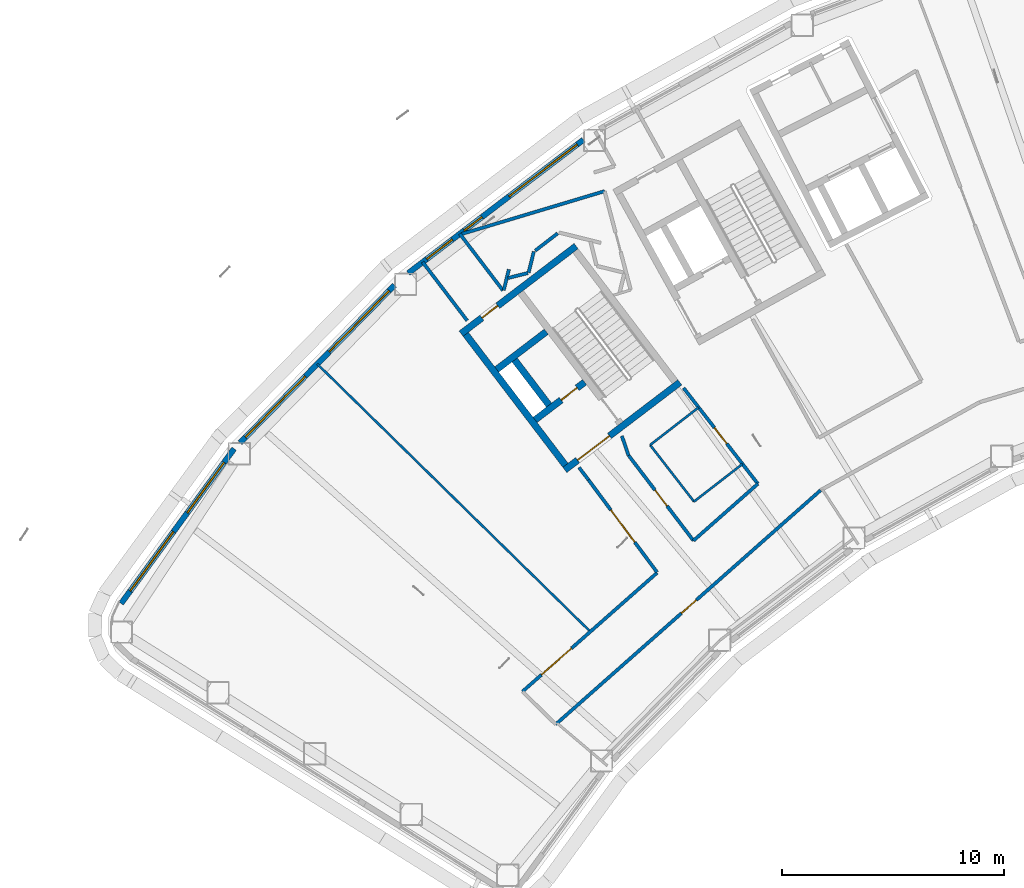
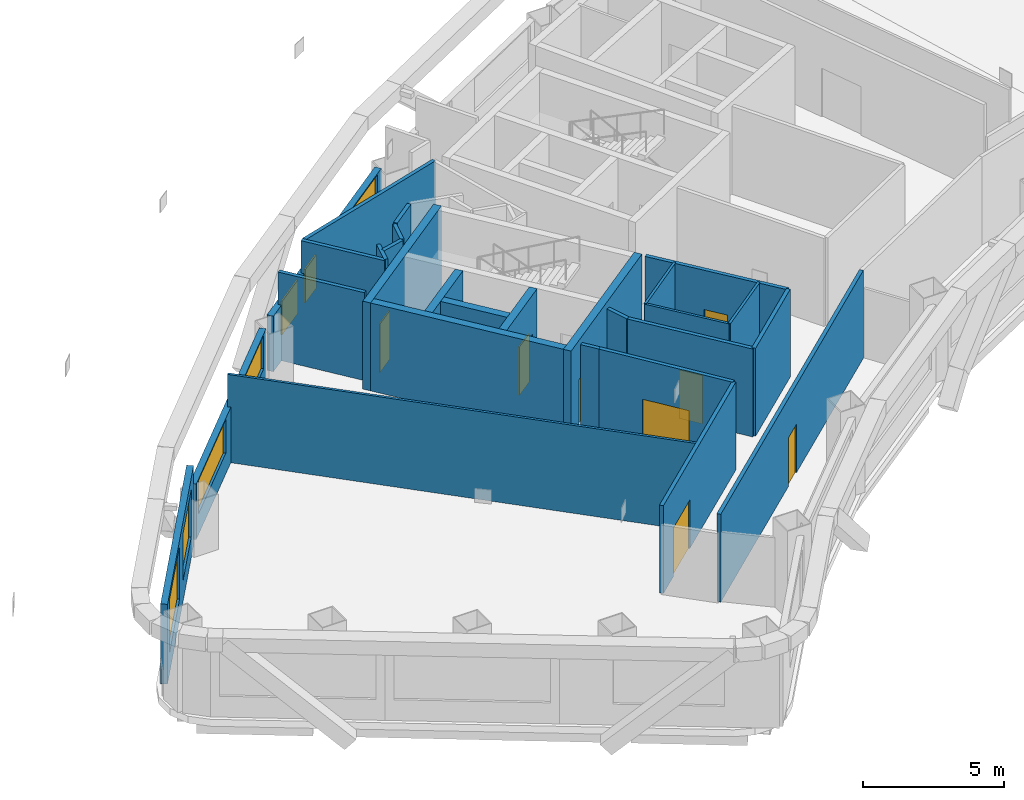
# One storey, part 3 of 19: 28 walls, 8 doors, 7 windows, 15 openings.
"""IFC4 building model written with IfcOpenShell, lengths in metres."""

from ifc_helpers import new_model, si_unit, direction, frame, frame_2d, origin, place, context, subcontext, project, spatial, rectangle, extrude, material, layer, layer_set, type_object, element, fill, save


model = new_model("IFC4")

# Units and contexts
model_context = context("Model", 3, precision=1e-05, world=origin(), true_north=direction((0.0, 1.0)))
body_context = subcontext(model_context, "Body", "Model", "MODEL_VIEW")
ifc_project = project(units=[si_unit("LENGTHUNIT", "METRE"), si_unit("AREAUNIT", "SQUARE_METRE"), si_unit("VOLUMEUNIT", "CUBIC_METRE"), si_unit("PLANEANGLEUNIT", "RADIAN"), si_unit("MASSUNIT", "GRAM", prefix="KILO")], contexts=[model_context])

# Site, building, storey
site_placement = place(None, origin())
site = spatial("IfcSite", under=ifc_project, at=site_placement, CompositionType="ELEMENT")
building_placement = place(site_placement, origin())
building = spatial("IfcBuilding", under=site, at=building_placement, Name="Tuul Gate Civic Tower", CompositionType="ELEMENT")
storey_placement = place(building_placement, frame((0.0, 0.0, 163.39990234375)))
storey = spatial("IfcBuildingStorey", under=building, at=storey_placement, Name="Level 37", CompositionType="ELEMENT", Elevation=163.39990234375)

# Wall, opening, door
ifc_material_1 = material(Name="Concrete C50/60", Category="concrete")
ifc_layer_1 = layer(ifc_material_1, 0.300048828125)
ifc_layer_set_1 = layer_set([ifc_layer_1], Name="Concrete C50/60")
wall_type_1 = type_object("IfcWallType", Name="Core wall C50/60", PredefinedType="SHEAR", material=ifc_layer_set_1)
wall_1_placement = place(storey_placement, frame((-31.19091796875, -13.669677734375, 0.0), z_axis=(0.0, 0.0, 1.0), x_axis=(-0.795606717756, -0.605813461934, 0.0)))
wall_1 = element("IfcWall", 1, at=wall_1_placement, inside=storey, type_object=wall_type_1, Name="Core wall", PredefinedType="SHEAR", context=body_context, shape_type="SweptSolid", body=[
    extrude(rectangle(XDim=6.5, YDim=0.300048828125, at=frame_2d((3.25, 0.0))), origin(), (0.0, 0.0, 1.0), 3.800048828125),
])
opening_1_placement = place(wall_1_placement, frame((3.97509765625, 0.0, 0.0)))
opening_1 = element("IfcOpeningElement", 2, at=opening_1_placement, cuts=wall_1, Name="Opening LB-W1-LOBBY-1", PredefinedType="OPENING", context=body_context, shape_type="SweptSolid", body=[
    extrude(rectangle(XDim=1.800048828125, YDim=2.10009765625, at=frame_2d((0.89990234375, 1.050048828125))), frame((0.0, 0.16015625, 0.0), z_axis=(0.0, -1.0, 0.0), x_axis=(1.0, 0.0, 0.0)), (0.0, 0.0, 1.0), 0.320068359375),
])
ifc_material_2 = material(Name="Steel", Category="steel")
door_type_1 = type_object("IfcDoorType", Name="Lobby door", OperationType="DOUBLE_DOOR_SINGLE_SWING", PredefinedType="DOOR", material=ifc_material_2)
door_1_placement = place(opening_1_placement, origin())
door_1 = element("IfcDoor", 3, at=door_1_placement, inside=storey, type_object=door_type_1, Name="Lobby door W1-LOBBY", OperationType="DOUBLE_DOOR_SINGLE_SWING", OverallHeight=2.10009765625, OverallWidth=1.800048828125, PredefinedType="DOOR", context=body_context, shape_type="SweptSolid", body=[
    extrude(rectangle(XDim=1.800048828125, YDim=2.10009765625, at=frame_2d((0.89990234375, 1.050048828125))), frame((0.0, 0.02490234375, 0.0), z_axis=(0.0, -1.0, 0.0), x_axis=(1.0, 0.0, 0.0)), (0.0, 0.0, 1.0), 0.050048828125),
])
fill(opening_1, door_1)

wall_2_placement = place(storey_placement, frame((-35.470947265625, -13.66064453125, 0.0), z_axis=(0.0, 0.0, 1.0), x_axis=(-0.795615822227, -0.605801504968, 0.0)))
wall_2 = element("IfcWall", 4, at=wall_2_placement, inside=storey, type_object=wall_type_1, Name="Core wall", PredefinedType="SHEAR", context=body_context, shape_type="SweptSolid", body=[
    extrude(rectangle(XDim=2.800048828125, YDim=0.300048828125, at=frame_2d((1.39990234375, 0.0))), origin(), (0.0, 0.0, 1.0), 3.800048828125),
])
opening_2_placement = place(wall_2_placement, frame((0.425048828125, 0.0, 0.0)))
opening_2 = element("IfcOpeningElement", 5, at=opening_2_placement, cuts=wall_2, Name="Opening FB-W1A1", PredefinedType="OPENING", context=body_context, shape_type="SweptSolid", body=[
    extrude(rectangle(XDim=0.89990234375, YDim=2.10009765625, at=frame_2d((0.449951171875, 1.050048828125))), frame((0.0, 0.16015625, 0.0), z_axis=(0.0, -1.0, 0.0), x_axis=(1.0, 0.0, 0.0)), (0.0, 0.0, 1.0), 0.320068359375),
])
ifc_material_3 = material(Name="Steel", Category="steel")
door_type_2 = type_object("IfcDoorType", Name="Store door", OperationType="NOTDEFINED", PredefinedType="DOOR", material=ifc_material_3)
door_2_placement = place(opening_2_placement, frame((0.89990234375, 0.0, 0.0), z_axis=(0.0, 0.0, 1.0), x_axis=(-1.0, 0.0, 0.0)))
door_2 = element("IfcDoor", 6, at=door_2_placement, inside=storey, type_object=door_type_2, Name="Store door W1A1", OperationType="SINGLE_SWING_RIGHT", OverallHeight=2.10009765625, OverallWidth=0.89990234375, PredefinedType="DOOR", context=body_context, shape_type="SweptSolid", body=[
    extrude(rectangle(XDim=0.89990234375, YDim=2.10009765625, at=frame_2d((0.449951171875, 1.050048828125))), frame((0.0, 0.02490234375, 0.0), z_axis=(0.0, -1.0, 0.0), x_axis=(1.0, 0.0, 0.0)), (0.0, 0.0, 1.0), 0.050048828125),
])
fill(opening_2, door_2)

# Wall
wall_3_placement = place(storey_placement, frame((-37.197509765625, -11.39306640625, 0.0), z_axis=(0.0, 0.0, 1.0), x_axis=(-0.795583820278, -0.605843531707, 0.0)))
element("IfcWall", 7, at=wall_3_placement, inside=storey, type_object=wall_type_1, Name="Core wall", PredefinedType="SHEAR", context=body_context, shape_type="SweptSolid", body=[
    extrude(rectangle(XDim=2.7998046875, YDim=0.300048828125, at=frame_2d((1.39990234375, 0.0))), origin(), (0.0, 0.0, 1.0), 3.800048828125),
])

# Wall, opening, door
wall_4_placement = place(storey_placement, frame((-35.855224609375, -7.543212890625, 0.0), z_axis=(0.0, 0.0, 1.0), x_axis=(-0.79563860527, -0.605771582202, 0.0)))
wall_4 = element("IfcWall", 8, at=wall_4_placement, inside=storey, type_object=wall_type_1, Name="Core wall", PredefinedType="SHEAR", context=body_context, shape_type="SweptSolid", body=[
    extrude(rectangle(XDim=6.5, YDim=0.300048828125, at=frame_2d((3.25, 0.0))), origin(), (0.0, 0.0, 1.0), 3.800048828125),
])
opening_3_placement = place(wall_4_placement, frame((4.425048828125, 0.0, 0.0)))
opening_3 = element("IfcOpeningElement", 9, at=opening_3_placement, cuts=wall_4, Name="Opening M-D18", PredefinedType="OPENING", context=body_context, shape_type="SweptSolid", body=[
    extrude(rectangle(XDim=0.89990234375, YDim=2.10009765625, at=frame_2d((0.449951171875, 1.050048828125))), frame((0.0, 0.16015625, 0.0), z_axis=(0.0, -1.0, 0.0), x_axis=(1.0, 0.0, 0.0)), (0.0, 0.0, 1.0), 0.320068359375),
])
ifc_material_4 = material(Name="Timber door leaf", Category="wood")
door_type_3 = type_object("IfcDoorType", Name="Door D09", OperationType="NOTDEFINED", PredefinedType="DOOR", material=ifc_material_4)
door_3_placement = place(opening_3_placement, origin())
door_3 = element("IfcDoor", 10, at=door_3_placement, inside=storey, type_object=door_type_3, Name="Door M-D18", OperationType="SINGLE_SWING_LEFT", OverallHeight=2.10009765625, OverallWidth=0.89990234375, PredefinedType="DOOR", context=body_context, shape_type="SweptSolid", body=[
    extrude(rectangle(XDim=0.89990234375, YDim=2.10009765625, at=frame_2d((0.449951171875, 1.050048828125))), frame((0.0, 0.02490234375, 0.0), z_axis=(0.0, -1.0, 0.0), x_axis=(1.0, 0.0, 0.0)), (0.0, 0.0, 1.0), 0.050048828125),
])
fill(opening_3, door_3)

# Walls
wall_5_placement = place(storey_placement, frame((-37.073486328125, -14.6923828125, 0.0), z_axis=(0.0, 0.0, 1.0), x_axis=(-0.605728760074, 0.79567120673, 0.0)))
element("IfcWall", 11, at=wall_5_placement, inside=storey, type_object=wall_type_1, Name="Core wall", PredefinedType="SHEAR", context=body_context, shape_type="SweptSolid", body=[
    extrude(rectangle(XDim=2.550048828125, YDim=0.300048828125, at=frame_2d((1.27490234375, 0.0))), origin(), (0.0, 0.0, 1.0), 3.800048828125),
])
wall_6_placement = place(storey_placement, frame((-36.333984375, -17.397216796875, 0.0), z_axis=(0.0, 0.0, 1.0), x_axis=(-0.605753921168, 0.795652051458, 0.0)))
element("IfcWall", 12, at=wall_6_placement, inside=storey, type_object=wall_type_1, Name="Core wall", PredefinedType="SHEAR", context=body_context, shape_type="SweptSolid", body=[
    extrude(rectangle(XDim=7.400146484375, YDim=0.300048828125, at=frame_2d((3.7001953125, 0.0))), origin(), (0.0, 0.0, 1.0), 3.800048828125),
])
ifc_material_5 = material(Name="Gypsum board partition")
ifc_layer_2 = layer(ifc_material_5, 0.14990234375)
ifc_layer_set_2 = layer_set([ifc_layer_2], Name="Gypsum board partition")
wall_type_2 = type_object("IfcWallType", Name="Corridor wall P150", PredefinedType="PARTITIONING", material=ifc_layer_set_2)
wall_7_placement = place(storey_placement, frame((-37.695556640625, -7.74951171875, 0.0), z_axis=(0.0, 0.0, 1.0), x_axis=(0.791948589292, 0.610587775769, 0.0)))
element("IfcWall", 13, at=wall_7_placement, inside=storey, type_object=wall_type_2, Name="p036", PredefinedType="PARTITIONING", context=body_context, shape_type="SweptSolid", body=[
    extrude(rectangle(XDim=1.277587890625, YDim=0.14990234375, at=frame_2d((0.638671875, 0.0))), origin(), (0.0, 0.0, 1.0), 3.800048828125),
])
wall_8_placement = place(storey_placement, frame((-37.990966796875, -8.73681640625, 0.0), z_axis=(0.0, 0.0, 1.0), x_axis=(0.239836272138, 0.970813351045, 0.0)))
element("IfcWall", 14, at=wall_8_placement, inside=storey, type_object=wall_type_2, Name="p037", PredefinedType="PARTITIONING", context=body_context, shape_type="SweptSolid", body=[
    extrude(rectangle(XDim=0.979248046875, YDim=0.14990234375, at=frame_2d((0.48974609375, 0.0))), origin(), (0.0, 0.0, 1.0), 3.800048828125),
])
wall_9_placement = place(storey_placement, frame((-38.92138671875, -8.9794921875, 0.0), z_axis=(0.0, 0.0, 1.0), x_axis=(0.969803270885, 0.243888531465, 0.0)))
element("IfcWall", 15, at=wall_9_placement, inside=storey, type_object=wall_type_2, Name="p038", PredefinedType="PARTITIONING", context=body_context, shape_type="SweptSolid", body=[
    extrude(rectangle(XDim=0.93408203125, YDim=0.14990234375, at=frame_2d((0.467041015625, 0.0))), origin(), (0.0, 0.0, 1.0), 3.800048828125),
])
wall_10_placement = place(storey_placement, frame((-39.109130859375, -9.5302734375, 0.0), z_axis=(0.0, 0.0, 1.0), x_axis=(0.239922856226, 0.970791956632, 0.0)))
element("IfcWall", 16, at=wall_10_placement, inside=storey, type_object=wall_type_2, Name="p039", PredefinedType="PARTITIONING", context=body_context, shape_type="SweptSolid", body=[
    extrude(rectangle(XDim=0.9677734375, YDim=0.14990234375, at=frame_2d((0.48388671875, 0.0))), origin(), (0.0, 0.0, 1.0), 3.800048828125),
])
wall_11_placement = place(storey_placement, frame((-41.085693359375, -6.98828125, 0.0), z_axis=(0.0, 0.0, 1.0), x_axis=(0.605873285969, -0.795561161287, 0.0)))
element("IfcWall", 17, at=wall_11_placement, inside=storey, type_object=wall_type_2, Name="p040", PredefinedType="PARTITIONING", context=body_context, shape_type="SweptSolid", body=[
    extrude(rectangle(XDim=3.20361328125, YDim=0.14990234375, at=frame_2d((1.601806640625, 0.0))), origin(), (0.0, 0.0, 1.0), 3.800048828125),
])

# Wall, opening, door
wall_12_placement = place(storey_placement, frame((-33.495361328125, -16.95458984375, 0.0), z_axis=(0.0, 0.0, 1.0), x_axis=(0.60591037811, -0.795532911763, 0.0)))
wall_12 = element("IfcWall", 18, at=wall_12_placement, inside=storey, type_object=wall_type_2, Name="p041", PredefinedType="PARTITIONING", context=body_context, shape_type="SweptSolid", body=[
    extrude(rectangle(XDim=4.81787109375, YDim=0.14990234375, at=frame_2d((2.408935546875, 0.0))), origin(), (0.0, 0.0, 1.0), 3.800048828125),
])
opening_4_placement = place(wall_12_placement, frame((1.958984375, 0.0, 0.0)))
opening_4 = element("IfcOpeningElement", 19, at=opening_4_placement, cuts=wall_12, Name="Opening M-D17", PredefinedType="OPENING", context=body_context, shape_type="SweptSolid", body=[
    extrude(rectangle(XDim=0.89990234375, YDim=2.10009765625, at=frame_2d((0.449951171875, 1.050048828125))), frame((0.0, 0.0849609375, 0.0), z_axis=(0.0, -1.0, 0.0), x_axis=(1.0, 0.0, 0.0)), (0.0, 0.0, 1.0), 0.169921875),
])
door_4_placement = place(opening_4_placement, origin())
door_4 = element("IfcDoor", 20, at=door_4_placement, inside=storey, type_object=door_type_3, Name="Door M-D17", OperationType="SINGLE_SWING_RIGHT", OverallHeight=2.10009765625, OverallWidth=0.89990234375, PredefinedType="DOOR", context=body_context, shape_type="SweptSolid", body=[
    extrude(rectangle(XDim=0.89990234375, YDim=2.10009765625, at=frame_2d((0.449951171875, 1.050048828125))), frame((0.0, 0.02490234375, 0.0), z_axis=(0.0, -1.0, 0.0), x_axis=(1.0, 0.0, 0.0)), (0.0, 0.0, 1.0), 0.050048828125),
])
fill(opening_4, door_4)

# Walls
wall_13_placement = place(storey_placement, frame((-42.756103515625, -8.26025390625, 0.0), z_axis=(0.0, 0.0, 1.0), x_axis=(0.605756442532, -0.795650131861, 0.0)))
element("IfcWall", 21, at=wall_13_placement, inside=storey, type_object=wall_type_2, Name="p045", PredefinedType="PARTITIONING", context=body_context, shape_type="SweptSolid", body=[
    extrude(rectangle(XDim=3.309326171875, YDim=0.14990234375, at=frame_2d((1.65478515625, 0.0))), origin(), (0.0, 0.0, 1.0), 3.800048828125),
])
wall_14_placement = place(storey_placement, frame((-35.722412109375, -17.498291015625, 0.0), z_axis=(0.0, 0.0, 1.0), x_axis=(0.60571821205, -0.795679236622, 0.0)))
element("IfcWall", 22, at=wall_14_placement, inside=storey, type_object=wall_type_2, Name="p046", PredefinedType="PARTITIONING", context=body_context, shape_type="SweptSolid", body=[
    extrude(rectangle(XDim=0.70166015625, YDim=0.14990234375, at=frame_2d((0.350830078125, 0.0))), origin(), (0.0, 0.0, 1.0), 3.800048828125),
])

# Wall, opening, door
wall_15_placement = place(storey_placement, frame((-35.297119140625, -18.056640625, 0.0), z_axis=(0.0, 0.0, 1.0), x_axis=(0.596155340133, -0.802869111644, 0.0)))
wall_15 = element("IfcWall", 23, at=wall_15_placement, inside=storey, type_object=wall_type_2, Name="p047", PredefinedType="PARTITIONING", context=body_context, shape_type="SweptSolid", body=[
    extrude(rectangle(XDim=5.170654296875, YDim=0.14990234375, at=frame_2d((2.58544921875, 0.0))), origin(), (0.0, 0.0, 1.0), 3.800048828125),
])
opening_5_placement = place(wall_15_placement, frame((1.68505859375, 0.0, 0.0)))
opening_5 = element("IfcOpeningElement", 24, at=opening_5_placement, cuts=wall_15, Name="Opening M-D11", PredefinedType="OPENING", context=body_context, shape_type="SweptSolid", body=[
    extrude(rectangle(XDim=1.800048828125, YDim=2.10009765625, at=frame_2d((0.89990234375, 1.050048828125))), frame((0.0, 0.0849609375, 0.0), z_axis=(0.0, -1.0, 0.0), x_axis=(1.0, 0.0, 0.0)), (0.0, 0.0, 1.0), 0.169921875),
])
ifc_material_6 = material(Name="Timber door leaf, double", Category="wood")
door_type_4 = type_object("IfcDoorType", Name="Door D18", OperationType="DOUBLE_DOOR_SINGLE_SWING", PredefinedType="DOOR", material=ifc_material_6)
door_5_placement = place(opening_5_placement, frame((1.800048828125, 0.0, 0.0), z_axis=(0.0, 0.0, 1.0), x_axis=(-1.0, 0.0, 0.0)))
door_5 = element("IfcDoor", 25, at=door_5_placement, inside=storey, type_object=door_type_4, Name="Door M-D11", OperationType="DOUBLE_DOOR_SINGLE_SWING", OverallHeight=2.10009765625, OverallWidth=1.800048828125, PredefinedType="DOOR", context=body_context, shape_type="SweptSolid", body=[
    extrude(rectangle(XDim=1.800048828125, YDim=2.10009765625, at=frame_2d((0.900146484375, 1.050048828125))), frame((0.0, 0.02490234375, 0.0), z_axis=(0.0, -1.0, 0.0), x_axis=(1.0, 0.0, 0.0)), (0.0, 0.0, 1.0), 0.050048828125),
])
fill(opening_5, door_5)

wall_16_placement = place(storey_placement, frame((-38.264892578125, -27.57275390625, 0.0), z_axis=(0.0, 0.0, 1.0), x_axis=(0.749776017467, 0.661691713437, 0.0)))
wall_16 = element("IfcWall", 26, at=wall_16_placement, inside=storey, type_object=wall_type_2, Name="p048", PredefinedType="PARTITIONING", context=body_context, shape_type="SweptSolid", body=[
    extrude(rectangle(XDim=8.065673828125, YDim=0.14990234375, at=frame_2d((4.03271484375, 0.0))), origin(), (0.0, 0.0, 1.0), 3.800048828125),
])
opening_6_placement = place(wall_16_placement, frame((1.134521484375, 0.0, 0.0)))
opening_6 = element("IfcOpeningElement", 27, at=opening_6_placement, cuts=wall_16, Name="Opening M-D12", PredefinedType="OPENING", context=body_context, shape_type="SweptSolid", body=[
    extrude(rectangle(XDim=1.800048828125, YDim=2.10009765625, at=frame_2d((0.89990234375, 1.050048828125))), frame((0.0, 0.0849609375, 0.0), z_axis=(0.0, -1.0, 0.0), x_axis=(1.0, 0.0, 0.0)), (0.0, 0.0, 1.0), 0.169921875),
])
door_6_placement = place(opening_6_placement, origin())
door_6 = element("IfcDoor", 28, at=door_6_placement, inside=storey, type_object=door_type_4, Name="Door M-D12", OperationType="DOUBLE_DOOR_SINGLE_SWING", OverallHeight=2.10009765625, OverallWidth=1.800048828125, PredefinedType="DOOR", context=body_context, shape_type="SweptSolid", body=[
    extrude(rectangle(XDim=1.800048828125, YDim=2.10009765625, at=frame_2d((0.89990234375, 1.050048828125))), frame((0.0, 0.02490234375, 0.0), z_axis=(0.0, -1.0, 0.0), x_axis=(1.0, 0.0, 0.0)), (0.0, 0.0, 1.0), 0.050048828125),
])
fill(opening_6, door_6)

# Wall
wall_17_placement = place(storey_placement, frame((-30.577880859375, -20.78857421875, 0.0), z_axis=(0.0, 0.0, 1.0), x_axis=(0.749775156875, 0.661692688589, 0.0)))
element("IfcWall", 29, at=wall_17_placement, inside=storey, type_object=wall_type_2, Name="p049", PredefinedType="PARTITIONING", context=body_context, shape_type="SweptSolid", body=[
    extrude(rectangle(XDim=3.86376953125, YDim=0.14990234375, at=frame_2d((1.931884765625, 0.0))), origin(), (0.0, 0.0, 1.0), 3.800048828125),
])

# Wall, opening, door
wall_18_placement = place(storey_placement, frame((-36.7705078125, -29.048095703125, 0.0), z_axis=(0.0, 0.0, 1.0), x_axis=(0.749290803253, 0.662241113312, 0.0)))
wall_18 = element("IfcWall", 30, at=wall_18_placement, inside=storey, type_object=wall_type_2, Name="p052", PredefinedType="PARTITIONING", context=body_context, shape_type="SweptSolid", body=[
    extrude(rectangle(XDim=15.896484375, YDim=0.14990234375, at=frame_2d((7.9482421875, 0.0))), origin(), (0.0, 0.0, 1.0), 3.800048828125),
])
opening_7_placement = place(wall_18_placement, frame((7.53857421875, 0.0, 0.0)))
opening_7 = element("IfcOpeningElement", 31, at=opening_7_placement, cuts=wall_18, Name="Opening M-D14", PredefinedType="OPENING", context=body_context, shape_type="SweptSolid", body=[
    extrude(rectangle(XDim=0.89990234375, YDim=2.10009765625, at=frame_2d((0.449951171875, 1.050048828125))), frame((0.0, 0.0849609375, 0.0), z_axis=(0.0, -1.0, 0.0), x_axis=(1.0, 0.0, 0.0)), (0.0, 0.0, 1.0), 0.169921875),
])
door_7_placement = place(opening_7_placement, frame((0.89990234375, 0.0, 0.0), z_axis=(0.0, 0.0, 1.0), x_axis=(-1.0, 0.0, 0.0)))
door_7 = element("IfcDoor", 32, at=door_7_placement, inside=storey, type_object=door_type_3, Name="Door M-D14", OperationType="SINGLE_SWING_LEFT", OverallHeight=2.10009765625, OverallWidth=0.89990234375, PredefinedType="DOOR", context=body_context, shape_type="SweptSolid", body=[
    extrude(rectangle(XDim=0.89990234375, YDim=2.10009765625, at=frame_2d((0.449951171875, 1.050048828125))), frame((0.0, 0.02490234375, 0.0), z_axis=(0.0, -1.0, 0.0), x_axis=(1.0, 0.0, 0.0)), (0.0, 0.0, 1.0), 0.050048828125),
])
fill(opening_7, door_7)

wall_19_placement = place(storey_placement, frame((-31.02294921875, -13.920166015625, 0.0), z_axis=(0.0, 0.0, 1.0), x_axis=(0.612619894475, -0.790377672315, 0.0)))
wall_19 = element("IfcWall", 33, at=wall_19_placement, inside=storey, type_object=wall_type_2, Name="p059", PredefinedType="PARTITIONING", context=body_context, shape_type="SweptSolid", body=[
    extrude(rectangle(XDim=5.455322265625, YDim=0.14990234375, at=frame_2d((2.7275390625, 0.0))), origin(), (0.0, 0.0, 1.0), 3.800048828125),
])
opening_8_placement = place(wall_19_placement, frame((2.267822265625, 0.0, 0.0)))
opening_8 = element("IfcOpeningElement", 34, at=opening_8_placement, cuts=wall_19, Name="Opening M-D15", PredefinedType="OPENING", context=body_context, shape_type="SweptSolid", body=[
    extrude(rectangle(XDim=0.89990234375, YDim=2.10009765625, at=frame_2d((0.449951171875, 1.050048828125))), frame((0.0, 0.0849609375, 0.0), z_axis=(0.0, -1.0, 0.0), x_axis=(1.0, 0.0, 0.0)), (0.0, 0.0, 1.0), 0.169921875),
])
door_8_placement = place(opening_8_placement, frame((0.89990234375, 0.0, 0.0), z_axis=(0.0, 0.0, 1.0), x_axis=(-1.0, 0.0, 0.0)))
door_8 = element("IfcDoor", 35, at=door_8_placement, inside=storey, type_object=door_type_3, Name="Door M-D15", OperationType="SINGLE_SWING_LEFT", OverallHeight=2.10009765625, OverallWidth=0.89990234375, PredefinedType="DOOR", context=body_context, shape_type="SweptSolid", body=[
    extrude(rectangle(XDim=0.89990234375, YDim=2.10009765625, at=frame_2d((0.449951171875, 1.050048828125))), frame((0.0, 0.02490234375, 0.0), z_axis=(0.0, -1.0, 0.0), x_axis=(1.0, 0.0, 0.0)), (0.0, 0.0, 1.0), 0.050048828125),
])
fill(opening_8, door_8)

# Walls
wall_20_placement = place(storey_placement, frame((-41.0048828125, -7.00048828125, 0.0), z_axis=(0.0, 0.0, 1.0), x_axis=(0.957866311297, 0.287214431535, 0.0)))
element("IfcWall", 36, at=wall_20_placement, inside=storey, type_object=wall_type_2, Name="p063", PredefinedType="PARTITIONING", context=body_context, shape_type="SweptSolid", body=[
    extrude(rectangle(XDim=6.713623046875, YDim=0.14990234375, at=frame_2d((3.35693359375, 0.0))), origin(), (0.0, 0.0, 1.0), 3.800048828125),
])
wall_21_placement = place(storey_placement, frame((-33.7978515625, -16.076904296875, 0.0), z_axis=(0.0, 0.0, 1.0), x_axis=(0.324653621534, -0.945832979984, 0.0)))
element("IfcWall", 37, at=wall_21_placement, inside=storey, type_object=wall_type_2, Name="p066", PredefinedType="PARTITIONING", context=body_context, shape_type="SweptSolid", body=[
    extrude(rectangle(XDim=0.9287109375, YDim=0.14990234375, at=frame_2d((0.46435546875, 0.0))), origin(), (0.0, 0.0, 1.0), 3.800048828125),
])

# Wall, openings, windows
ifc_material_7 = material(Name="Precast concrete C40/50", Category="concrete")
ifc_layer_3 = layer(ifc_material_7, 0.25)
ifc_layer_set_3 = layer_set([ifc_layer_3], Name="Precast concrete C40/50")
wall_type_3 = type_object("IfcWallType", Name="External wall", PredefinedType="STANDARD", material=ifc_layer_set_3)
wall_22_placement = place(storey_placement, frame((-51.232666015625, -16.654052734375, 0.0), z_axis=(0.0, 0.0, 1.0), x_axis=(-0.589738830744, -0.807594026422, 0.0)))
wall_22 = element("IfcWall", 38, at=wall_22_placement, inside=storey, type_object=wall_type_3, Name="External wall", PredefinedType="STANDARD", context=body_context, shape_type="SweptSolid", body=[
    extrude(rectangle(XDim=8.617919921875, YDim=0.25, at=frame_2d((4.30908203125, 0.0))), origin(), (0.0, 0.0, 1.0), 3.4501953125),
])
opening_9_placement = place(wall_22_placement, frame((0.76513671875, 0.0, 0.89990234375)))
opening_9 = element("IfcOpeningElement", 39, at=opening_9_placement, cuts=wall_22, Name="Opening W114", PredefinedType="OPENING", context=body_context, shape_type="SweptSolid", body=[
    extrude(rectangle(XDim=2.800048828125, YDim=2.050048828125, at=frame_2d((1.39990234375, 1.02490234375))), frame((0.0, 0.135009765625, 0.0), z_axis=(0.0, -1.0, 0.0), x_axis=(1.0, 0.0, 0.0)), (0.0, 0.0, 1.0), 0.27001953125),
])
opening_10_placement = place(wall_22_placement, frame((4.627197265625, 0.0, 0.89990234375)))
opening_10 = element("IfcOpeningElement", 40, at=opening_10_placement, cuts=wall_22, Name="Opening W115", PredefinedType="OPENING", context=body_context, shape_type="SweptSolid", body=[
    extrude(rectangle(XDim=3.300048828125, YDim=2.300048828125, at=frame_2d((1.64990234375, 1.14990234375))), frame((0.0, 0.135009765625, 0.0), z_axis=(0.0, -1.0, 0.0), x_axis=(1.0, 0.0, 0.0)), (0.0, 0.0, 1.0), 0.27001953125),
])
ifc_material_8 = material(Name="Glass", Category="glass")
window_type_1 = type_object("IfcWindowType", Name="Window W114 2800 x 2050", PartitioningType="SINGLE_PANEL", PredefinedType="WINDOW", material=ifc_material_8)
window_1_placement = place(opening_9_placement, origin())
window_1 = element("IfcWindow", 41, at=window_1_placement, inside=storey, type_object=window_type_1, Name="Window", OverallHeight=2.050048828125, OverallWidth=2.800048828125, PartitioningType="SINGLE_PANEL", PredefinedType="WINDOW", context=body_context, shape_type="SweptSolid", body=[
    extrude(rectangle(XDim=2.800048828125, YDim=2.050048828125, at=frame_2d((1.39990234375, 1.02490234375))), frame((0.0, 0.030029296875, 0.0), z_axis=(0.0, -1.0, 0.0), x_axis=(1.0, 0.0, 0.0)), (0.0, 0.0, 1.0), 0.06005859375),
])
fill(opening_9, window_1)
ifc_material_9 = material(Name="Glass", Category="glass")
window_type_2 = type_object("IfcWindowType", Name="Window W115 3300 x 2300", PartitioningType="SINGLE_PANEL", PredefinedType="WINDOW", material=ifc_material_9)
window_2_placement = place(opening_10_placement, origin())
window_2 = element("IfcWindow", 42, at=window_2_placement, inside=storey, type_object=window_type_2, Name="Window", OverallHeight=2.300048828125, OverallWidth=3.300048828125, PartitioningType="SINGLE_PANEL", PredefinedType="WINDOW", context=body_context, shape_type="SweptSolid", body=[
    extrude(rectangle(XDim=3.300048828125, YDim=2.300048828125, at=frame_2d((1.64990234375, 1.14990234375))), frame((0.0, 0.030029296875, 0.0), z_axis=(0.0, -1.0, 0.0), x_axis=(1.0, 0.0, 0.0)), (0.0, 0.0, 1.0), 0.06005859375),
])
fill(opening_10, window_2)

ifc_material_10 = material(Name="Precast concrete C40/50", Category="concrete")
ifc_layer_4 = layer(ifc_material_10, 0.25)
ifc_layer_set_4 = layer_set([ifc_layer_4], Name="Precast concrete C40/50")
wall_type_4 = type_object("IfcWallType", Name="External wall 2400 HIGH", PredefinedType="STANDARD", material=ifc_layer_set_4)
wall_23_placement = place(storey_placement, frame((-35.528076171875, -2.7626953125, 0.0), z_axis=(0.0, 0.0, 1.0), x_axis=(-0.79560098888, -0.605820985518, 0.0)))
wall_23 = element("IfcWall", 43, at=wall_23_placement, inside=storey, type_object=wall_type_4, Name="External wall", PredefinedType="STANDARD", context=body_context, shape_type="SweptSolid", body=[
    extrude(rectangle(XDim=9.89794921875, YDim=0.25, at=frame_2d((4.948974609375, 0.0))), origin(), (0.0, 0.0, 1.0), 2.400146484375),
])
opening_11_placement = place(wall_23_placement, frame((0.346923828125, 0.0, 0.89990234375)))
opening_11 = element("IfcOpeningElement", 44, at=opening_11_placement, cuts=wall_23, Name="Opening W103", PredefinedType="OPENING", context=body_context, shape_type="SweptSolid", body=[
    extrude(rectangle(XDim=3.85009765625, YDim=1.449951171875, at=frame_2d((1.925048828125, 0.72509765625))), frame((0.0, 0.135009765625, 0.0), z_axis=(0.0, -1.0, 0.0), x_axis=(1.0, 0.0, 0.0)), (0.0, 0.0, 1.0), 0.27001953125),
])
opening_12_placement = place(wall_23_placement, frame((5.73291015625, 0.0, 0.89990234375)))
opening_12 = element("IfcOpeningElement", 45, at=opening_12_placement, cuts=wall_23, Name="Opening W127", PredefinedType="OPENING", context=body_context, shape_type="SweptSolid", body=[
    extrude(rectangle(XDim=1.0, YDim=1.449951171875, at=frame_2d((0.5, 0.72509765625))), frame((0.0, 0.135009765625, 0.0), z_axis=(0.0, -1.0, 0.0), x_axis=(1.0, 0.0, 0.0)), (0.0, 0.0, 1.0), 0.27001953125),
])
opening_13_placement = place(wall_23_placement, frame((7.408935546875, 0.0, 0.89990234375)))
opening_13 = element("IfcOpeningElement", 46, at=opening_13_placement, cuts=wall_23, Name="Opening W133", PredefinedType="OPENING", context=body_context, shape_type="SweptSolid", body=[
    extrude(rectangle(XDim=1.449951171875, YDim=1.449951171875, at=frame_2d((0.72509765625, 0.72509765625))), frame((0.0, 0.135009765625, 0.0), z_axis=(0.0, -1.0, 0.0), x_axis=(1.0, 0.0, 0.0)), (0.0, 0.0, 1.0), 0.27001953125),
])
ifc_material_11 = material(Name="Glass", Category="glass")
window_type_3 = type_object("IfcWindowType", Name="Window W103 3850 x 1450", PartitioningType="SINGLE_PANEL", PredefinedType="WINDOW", material=ifc_material_11)
window_3_placement = place(opening_11_placement, origin())
window_3 = element("IfcWindow", 47, at=window_3_placement, inside=storey, type_object=window_type_3, Name="Window", OverallHeight=1.449951171875, OverallWidth=3.85009765625, PartitioningType="SINGLE_PANEL", PredefinedType="WINDOW", context=body_context, shape_type="SweptSolid", body=[
    extrude(rectangle(XDim=3.85009765625, YDim=1.449951171875, at=frame_2d((1.925048828125, 0.72509765625))), frame((0.0, 0.030029296875, 0.0), z_axis=(0.0, -1.0, 0.0), x_axis=(1.0, 0.0, 0.0)), (0.0, 0.0, 1.0), 0.06005859375),
])
fill(opening_11, window_3)
ifc_material_12 = material(Name="Glass", Category="glass")
window_type_4 = type_object("IfcWindowType", Name="Window W127 1000 x 1450", PartitioningType="SINGLE_PANEL", PredefinedType="WINDOW", material=ifc_material_12)
window_4_placement = place(opening_12_placement, origin())
window_4 = element("IfcWindow", 48, at=window_4_placement, inside=storey, type_object=window_type_4, Name="Window", OverallHeight=1.449951171875, OverallWidth=1.0, PartitioningType="SINGLE_PANEL", PredefinedType="WINDOW", context=body_context, shape_type="SweptSolid", body=[
    extrude(rectangle(XDim=1.0, YDim=1.449951171875, at=frame_2d((0.5, 0.72509765625))), frame((0.0, 0.030029296875, 0.0), z_axis=(0.0, -1.0, 0.0), x_axis=(1.0, 0.0, 0.0)), (0.0, 0.0, 1.0), 0.06005859375),
])
fill(opening_12, window_4)
ifc_material_13 = material(Name="Glass", Category="glass")
window_type_5 = type_object("IfcWindowType", Name="Window W133 1450 x 1450", PartitioningType="SINGLE_PANEL", PredefinedType="WINDOW", material=ifc_material_13)
window_5_placement = place(opening_13_placement, origin())
window_5 = element("IfcWindow", 49, at=window_5_placement, inside=storey, type_object=window_type_5, Name="Window", OverallHeight=1.449951171875, OverallWidth=1.449951171875, PartitioningType="SINGLE_PANEL", PredefinedType="WINDOW", context=body_context, shape_type="SweptSolid", body=[
    extrude(rectangle(XDim=1.449951171875, YDim=1.449951171875, at=frame_2d((0.72509765625, 0.72509765625))), frame((0.0, 0.030029296875, 0.0), z_axis=(0.0, -1.0, 0.0), x_axis=(1.0, 0.0, 0.0)), (0.0, 0.0, 1.0), 0.06005859375),
])
fill(opening_13, window_5)

wall_24_placement = place(storey_placement, frame((-44.02392578125, -9.3056640625, 0.0), z_axis=(0.0, 0.0, 1.0), x_axis=(-0.700052449461, -0.714091428323, 0.0)))
wall_24 = element("IfcWall", 50, at=wall_24_placement, inside=storey, type_object=wall_type_4, Name="External wall", PredefinedType="STANDARD", context=body_context, shape_type="SweptSolid", body=[
    extrude(rectangle(XDim=9.912353515625, YDim=0.25, at=frame_2d((4.9560546875, 0.0))), origin(), (0.0, 0.0, 1.0), 2.400146484375),
])
opening_14_placement = place(wall_24_placement, frame((0.343994140625, 0.0, 0.89990234375)))
opening_14 = element("IfcOpeningElement", 51, at=opening_14_placement, cuts=wall_24, Name="Opening W103", PredefinedType="OPENING", context=body_context, shape_type="SweptSolid", body=[
    extrude(rectangle(XDim=3.85009765625, YDim=1.449951171875, at=frame_2d((1.925048828125, 0.72509765625))), frame((0.0, 0.135009765625, 0.0), z_axis=(0.0, -1.0, 0.0), x_axis=(1.0, 0.0, 0.0)), (0.0, 0.0, 1.0), 0.27001953125),
])
opening_15_placement = place(wall_24_placement, frame((5.716064453125, 0.0, 0.89990234375)))
opening_15 = element("IfcOpeningElement", 52, at=opening_15_placement, cuts=wall_24, Name="Opening W103", PredefinedType="OPENING", context=body_context, shape_type="SweptSolid", body=[
    extrude(rectangle(XDim=3.85009765625, YDim=1.449951171875, at=frame_2d((1.925048828125, 0.72509765625))), frame((0.0, 0.135009765625, 0.0), z_axis=(0.0, -1.0, 0.0), x_axis=(1.0, 0.0, 0.0)), (0.0, 0.0, 1.0), 0.27001953125),
])
window_6_placement = place(opening_14_placement, origin())
window_6 = element("IfcWindow", 53, at=window_6_placement, inside=storey, type_object=window_type_3, Name="Window", OverallHeight=1.449951171875, OverallWidth=3.85009765625, PartitioningType="SINGLE_PANEL", PredefinedType="WINDOW", context=body_context, shape_type="SweptSolid", body=[
    extrude(rectangle(XDim=3.85009765625, YDim=1.449951171875, at=frame_2d((1.925048828125, 0.72509765625))), frame((0.0, 0.030029296875, 0.0), z_axis=(0.0, -1.0, 0.0), x_axis=(1.0, 0.0, 0.0)), (0.0, 0.0, 1.0), 0.06005859375),
])
fill(opening_14, window_6)
window_7_placement = place(opening_15_placement, origin())
window_7 = element("IfcWindow", 54, at=window_7_placement, inside=storey, type_object=window_type_3, Name="Window", OverallHeight=1.449951171875, OverallWidth=3.85009765625, PartitioningType="SINGLE_PANEL", PredefinedType="WINDOW", context=body_context, shape_type="SweptSolid", body=[
    extrude(rectangle(XDim=3.85009765625, YDim=1.449951171875, at=frame_2d((1.925048828125, 0.72509765625))), frame((0.0, 0.030029296875, 0.0), z_axis=(0.0, -1.0, 0.0), x_axis=(1.0, 0.0, 0.0)), (0.0, 0.0, 1.0), 0.06005859375),
])
fill(opening_15, window_7)

# Walls
ifc_material_14 = material(Name="Gypsum board partition")
ifc_layer_5 = layer(ifc_material_14, 0.10009765625)
ifc_layer_set_5 = layer_set([ifc_layer_5], Name="Gypsum board partition")
wall_type_5 = type_object("IfcWallType", Name="Partition P100", PredefinedType="PARTITIONING", material=ifc_layer_set_5)
wall_25_placement = place(storey_placement, frame((-47.49658203125, -12.8408203125, 0.0), z_axis=(0.0, 0.0, 1.0), x_axis=(0.714133501001, -0.700009530469, 0.0)))
element("IfcWall", 55, at=wall_25_placement, inside=storey, type_object=wall_type_5, Name="p044", PredefinedType="PARTITIONING", context=body_context, shape_type="SweptSolid", body=[
    extrude(rectangle(XDim=17.19921875, YDim=0.10009765625, at=frame_2d((8.599609375, 0.0))), origin(), (0.0, 0.0, 1.0), 3.800048828125),
])
wall_26_placement = place(storey_placement, frame((-30.552978515625, -19.031494140625, 0.0), z_axis=(0.0, 0.0, 1.0), x_axis=(0.790398990067, 0.612592390175, 0.0)))
element("IfcWall", 56, at=wall_26_placement, inside=storey, type_object=wall_type_5, Name="p060", PredefinedType="PARTITIONING", context=body_context, shape_type="SweptSolid", body=[
    extrude(rectangle(XDim=2.759765625, YDim=0.10009765625, at=frame_2d((1.3798828125, 0.0))), origin(), (0.0, 0.0, 1.0), 3.800048828125),
])
wall_27_placement = place(storey_placement, frame((-32.525634765625, -16.486572265625, 0.0), z_axis=(0.0, 0.0, 1.0), x_axis=(0.612637981215, -0.790363652993, 0.0)))
element("IfcWall", 57, at=wall_27_placement, inside=storey, type_object=wall_type_5, Name="p061", PredefinedType="PARTITIONING", context=body_context, shape_type="SweptSolid", body=[
    extrude(rectangle(XDim=3.219970703125, YDim=0.10009765625, at=frame_2d((1.60986328125, 0.0))), origin(), (0.0, 0.0, 1.0), 3.800048828125),
])
wall_28_placement = place(storey_placement, frame((-32.525634765625, -16.486572265625, 0.0), z_axis=(0.0, 0.0, 1.0), x_axis=(0.790356158314, 0.61264764997, 0.0)))
element("IfcWall", 58, at=wall_28_placement, inside=storey, type_object=wall_type_5, Name="p062", PredefinedType="PARTITIONING", context=body_context, shape_type="SweptSolid", body=[
    extrude(rectangle(XDim=2.760009765625, YDim=0.10009765625, at=frame_2d((1.3798828125, 0.0))), origin(), (0.0, 0.0, 1.0), 3.800048828125),
])

save(model, "model.ifc")
